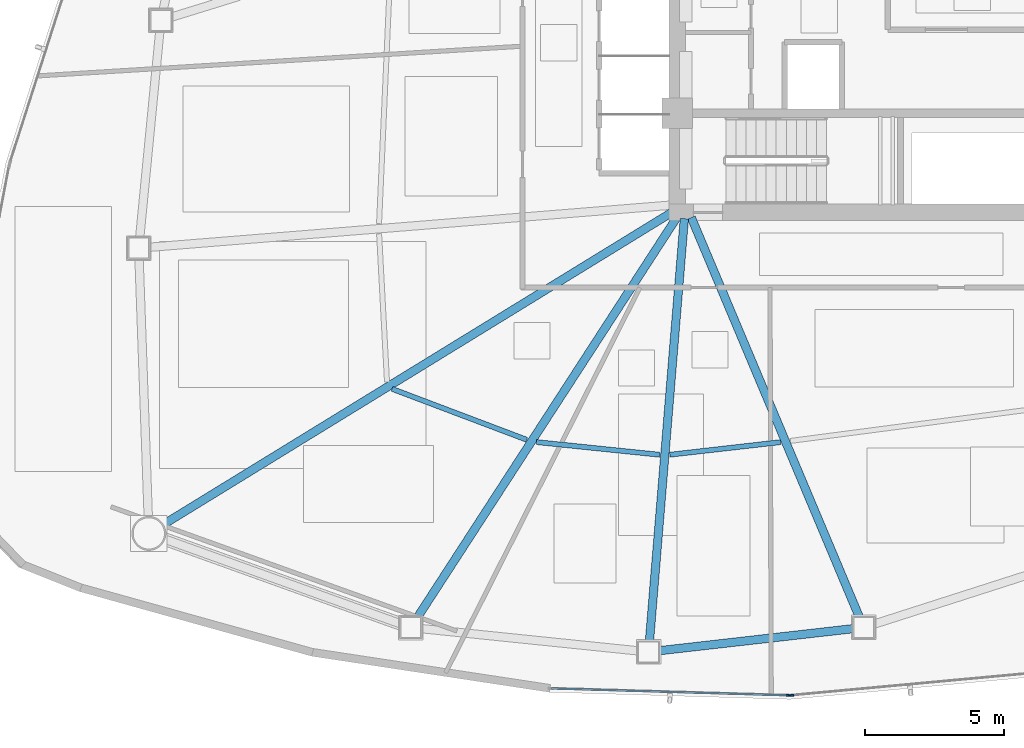
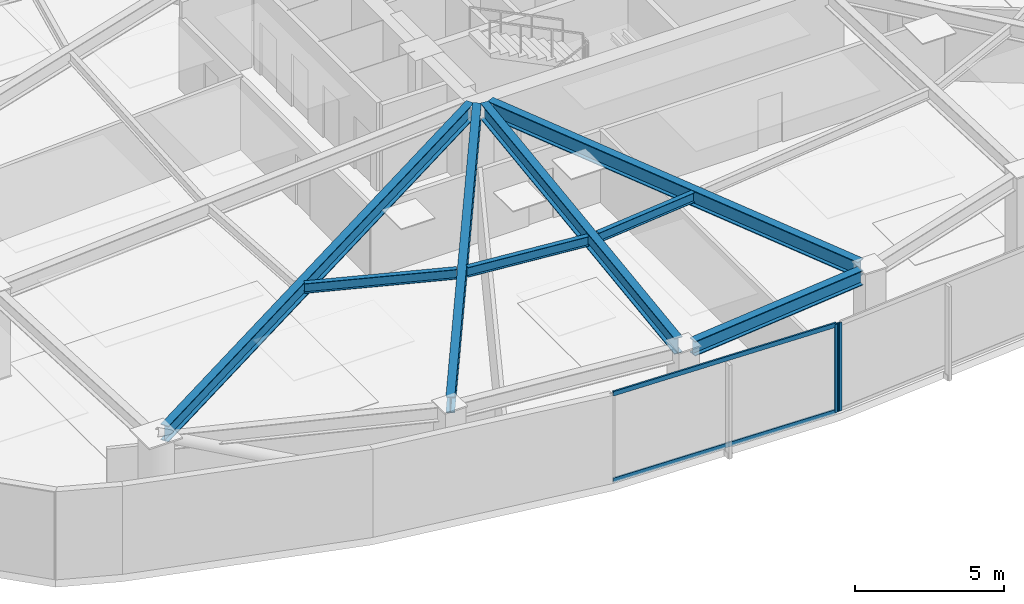
# One storey, part 3 of 16: 8 beams, 4 members, 2 elements without a shape of their own.
"""IFC4 building model written with IfcOpenShell, lengths in metres."""

from ifc_helpers import new_model, si_unit, direction, frame, origin, origin_2d, place, context, subcontext, project, spatial, hollow_rectangle, i_section, extrude, source, transform, mapped, material, layer, layer_set, material_profile, profile_set, type_object, type_shapes, element, aggregate, save


model = new_model("IFC4")

# Units and contexts
model_context = context("Model", 3, precision=1e-05, world=origin(), true_north=direction((0.0, 1.0)))
body_context = subcontext(model_context, "Body", "Model", "MODEL_VIEW")
ifc_project = project(units=[si_unit("LENGTHUNIT", "METRE"), si_unit("AREAUNIT", "SQUARE_METRE"), si_unit("VOLUMEUNIT", "CUBIC_METRE"), si_unit("PLANEANGLEUNIT", "RADIAN"), si_unit("MASSUNIT", "GRAM", prefix="KILO")], contexts=[model_context])

# Site, building, storey
site_placement = place(None, origin())
site = spatial("IfcSite", under=ifc_project, at=site_placement, CompositionType="ELEMENT")
building_placement = place(site_placement, origin())
building = spatial("IfcBuilding", under=site, at=building_placement, Name="Tavelor Broadcast Tower", CompositionType="ELEMENT")
storey_placement = place(building_placement, frame((0.0, 0.0, 31.5)))
storey = spatial("IfcBuildingStorey", under=building, at=storey_placement, Name="L06", CompositionType="ELEMENT", Elevation=31.5)

# Beams
ifc_material_1 = material(Name="Steel S355", Category="steel")
ifc_material_profile_1 = material_profile(ifc_material_1, i_section(OverallWidth=0.179931640625, OverallDepth=0.39990234375, WebThickness=0.008544921875, FlangeThickness=0.013427734375, at=origin_2d()), Name="IPE 400")
ifc_profile_set_1 = profile_set([ifc_material_profile_1], Name="Steel S355")
beam_type_1 = type_object("IfcBeamType", Name="Composite Floor Joist T1 IPE 400", PredefinedType="JOIST", material=ifc_profile_set_1)
beam_1_placement = place(storey_placement, frame((32.875732421875, 32.172119140625, 3.39990234375), z_axis=(0.935393222228, -0.353609275629, 0.0), x_axis=(0.353609275629, 0.935393222228, 0.0)))
element("IfcBeam", 1, at=beam_1_placement, inside=storey, type_object=beam_type_1, Name="L06 Secondary Composite Floor Joist 07", PredefinedType="JOIST", context=body_context, shape_type="SweptSolid", body=[
    extrude(i_section(OverallWidth=0.179931640625, OverallDepth=0.39990234375, WebThickness=0.008544921875, FlangeThickness=0.013427734375, at=origin_2d()), origin(), (0.0, 0.0, 1.0), 5.16357421875),
])
beam_2_placement = place(storey_placement, frame((38.05517578125, 30.263671875, 3.39990234375), z_axis=(0.994731276638, -0.102516765835, 0.0), x_axis=(0.102516765835, 0.994731276638, 0.0)))
element("IfcBeam", 2, at=beam_2_placement, inside=storey, type_object=beam_type_1, Name="L06 Secondary Composite Floor Joist 08", PredefinedType="JOIST", context=body_context, shape_type="SweptSolid", body=[
    extrude(i_section(OverallWidth=0.179931640625, OverallDepth=0.39990234375, WebThickness=0.008544921875, FlangeThickness=0.013427734375, at=origin_2d()), origin(), (0.0, 0.0, 1.0), 4.44384765625),
])
beam_3_placement = place(storey_placement, frame((42.83544921875, 29.81005859375, 3.39990234375), z_axis=(0.993584195036, 0.113094860076, 0.0), x_axis=(-0.113094860076, 0.993584195036, 0.0)))
element("IfcBeam", 3, at=beam_3_placement, inside=storey, type_object=beam_type_1, Name="L06 Secondary Composite Floor Joist 09", PredefinedType="JOIST", context=body_context, shape_type="SweptSolid", body=[
    extrude(i_section(OverallWidth=0.179931640625, OverallDepth=0.39990234375, WebThickness=0.008544921875, FlangeThickness=0.013427734375, at=origin_2d()), origin(), (0.0, 0.0, 1.0), 3.99365234375),
])
ifc_material_profile_2 = material_profile(ifc_material_1, i_section(OverallWidth=0.300048828125, OverallDepth=0.60009765625, WebThickness=0.015380859375, FlangeThickness=0.030029296875, at=origin_2d()), Name="HEB 600")
ifc_profile_set_2 = profile_set([ifc_material_profile_2], Name="Steel S355")
beam_type_2 = type_object("IfcBeamType", Name="Perimeter Spandrel Beam T1 HEB 600", PredefinedType="SPANDREL", material=ifc_profile_set_2)
beam_4_placement = place(storey_placement, frame((42.45458984375, 22.783935546875, 3.300048828125), z_axis=(0.993590028959, 0.113043594921, 0.0), x_axis=(-0.113043594921, 0.993590028959, 0.0)))
element("IfcBeam", 4, at=beam_4_placement, inside=storey, type_object=beam_type_2, Name="L06 Framed-Tube Ring Spandrel 09", PredefinedType="SPANDREL", context=body_context, shape_type="SweptSolid", body=[
    extrude(i_section(OverallWidth=0.300048828125, OverallDepth=0.60009765625, WebThickness=0.015380859375, FlangeThickness=0.030029296875, at=origin_2d()), origin(), (0.0, 0.0, 1.0), 6.995361328125),
])
ifc_material_profile_3 = material_profile(ifc_material_1, i_section(OverallWidth=0.300048828125, OverallDepth=0.64990234375, WebThickness=0.01611328125, FlangeThickness=0.031005859375, at=origin_2d()), Name="HEB 650")
ifc_profile_set_3 = profile_set([ifc_material_profile_3], Name="Steel S355")
beam_type_3 = type_object("IfcBeamType", Name="Radial Floor Girder T1 HEB 650", PredefinedType="BEAM", material=ifc_profile_set_3)
beam_5_placement = place(storey_placement, frame((42.949951171875, 38.523681640625, 3.27490234375), z_axis=(-0.852260376483, -0.523117817205, 0.0), x_axis=(0.523117817205, -0.852260376483, 0.0)))
element("IfcBeam", 5, at=beam_5_placement, inside=storey, type_object=beam_type_3, Name="L06 Radial Primary Floor Girder 07", PredefinedType="BEAM", context=body_context, shape_type="SweptSolid", body=[
    extrude(i_section(OverallWidth=0.300048828125, OverallDepth=0.64990234375, WebThickness=0.01611328125, FlangeThickness=0.031005859375, at=origin_2d()), origin(), (0.0, 0.0, 1.0), 21.463134765625),
])
beam_6_placement = place(storey_placement, frame((43.11279296875, 38.35693359375, 3.27490234375), z_axis=(-0.544182728087, -0.838966720706, 0.0), x_axis=(0.838966720706, -0.544182728087, 0.0)))
element("IfcBeam", 6, at=beam_6_placement, inside=storey, type_object=beam_type_3, Name="L06 Radial Primary Floor Girder 08", PredefinedType="BEAM", context=body_context, shape_type="SweptSolid", body=[
    extrude(i_section(OverallWidth=0.300048828125, OverallDepth=0.64990234375, WebThickness=0.01611328125, FlangeThickness=0.031005859375, at=origin_2d()), origin(), (0.0, 0.0, 1.0), 17.186767578125),
])
beam_7_placement = place(storey_placement, frame((43.3564453125, 38.273681640625, 3.27490234375), z_axis=(-0.082338386508, -0.996604430106, 0.0), x_axis=(0.996604430106, -0.082338386508, 0.0)))
element("IfcBeam", 7, at=beam_7_placement, inside=storey, type_object=beam_type_3, Name="L06 Radial Primary Floor Girder 09", PredefinedType="BEAM", context=body_context, shape_type="SweptSolid", body=[
    extrude(i_section(OverallWidth=0.300048828125, OverallDepth=0.64990234375, WebThickness=0.01611328125, FlangeThickness=0.031005859375, at=origin_2d()), origin(), (0.0, 0.0, 1.0), 15.201904296875),
])
beam_8_placement = place(storey_placement, frame((43.604736328125, 38.313232421875, 3.27490234375), z_axis=(0.387757434366, -0.921761450753, 0.0), x_axis=(0.921761450753, 0.387757434366, 0.0)))
element("IfcBeam", 8, at=beam_8_placement, inside=storey, type_object=beam_type_3, Name="L06 Radial Primary Floor Girder 10", PredefinedType="BEAM", context=body_context, shape_type="SweptSolid", body=[
    extrude(i_section(OverallWidth=0.300048828125, OverallDepth=0.64990234375, WebThickness=0.01611328125, FlangeThickness=0.031005859375, at=origin_2d()), origin(), (0.0, 0.0, 1.0), 15.55859375),
])

# Curtain wall, member
ifc_material_2 = material(Name="Architectural Anodized Aluminium", Category="aluminium")
ifc_layer = layer(ifc_material_2, 0.179931640625)
ifc_layer_set = layer_set([ifc_layer], Name="Architectural Anodized Aluminium")
curtain_wall_type = type_object("IfcCurtainWallType", Name="Tower Low-Zone Unitised Curtain Wall CW02", PredefinedType="NOTDEFINED", material=ifc_layer_set)
curtain_wall_1_placement = place(storey_placement, origin())
curtain_wall_1 = element("IfcCurtainWall", 9, at=curtain_wall_1_placement, inside=storey, type_object=curtain_wall_type, Name="L06 Curtain Wall CW02 Run 29", PredefinedType="NOTDEFINED")
ifc_material_profile_4 = material_profile(ifc_material_2, hollow_rectangle(XDim=0.06494140625, YDim=0.179931640625, WallThickness=0.02197265625, at=origin_2d()), Name="RHS 65x180x22")
ifc_profile_set_4 = profile_set([ifc_material_profile_4], Name="Architectural Anodized Aluminium")
member_type_1 = type_object("IfcMemberType", Name="CW02 Extruded Aluminium Mullion 65x180", PredefinedType="MULLION", material=ifc_profile_set_4)
shared_shape_1 = source(origin(), body_context, "Body", "SweptSolid", [
    extrude(hollow_rectangle(XDim=0.06494140625, YDim=0.179931640625, WallThickness=0.02197265625, at=origin_2d()), origin(), (0.0, 0.0, 1.0), 3.60009765625),
])
type_shapes(member_type_1, [shared_shape_1])
member_1_placement = place(storey_placement, frame((47.10107421875, 21.182861328125, 0.0), z_axis=(0.0, 0.0, 1.0), x_axis=(0.029245340553, 0.999572263549, 0.0)))
member_1 = element("IfcMember", 10, at=member_1_placement, type_object=member_type_1, Name="CW02 mullion 2", PredefinedType="MULLION", context=body_context, shape_type="MappedRepresentation", body=[
    mapped(shared_shape_1, transform((0.0, 0.0, 0.0), scale=1.0)),
])

curtain_wall_2_placement = place(storey_placement, origin())
curtain_wall_2 = element("IfcCurtainWall", 11, at=curtain_wall_2_placement, inside=storey, type_object=curtain_wall_type, Name="L06 Curtain Wall CW02 Run 30", PredefinedType="NOTDEFINED")
member_2_placement = place(storey_placement, frame((47.19580078125, 21.185791015625, 0.0), z_axis=(0.0, 0.0, 1.0), x_axis=(-0.091928825014, 0.995765580411, 0.0)))
member_2 = element("IfcMember", 12, at=member_2_placement, type_object=member_type_1, Name="CW02 mullion 1", PredefinedType="MULLION", context=body_context, shape_type="MappedRepresentation", body=[
    mapped(shared_shape_1, transform((0.0, 0.0, 0.0), scale=1.0)),
])
aggregate(curtain_wall_2, [member_2])

# Member
ifc_material_profile_5 = material_profile(ifc_material_2, hollow_rectangle(XDim=0.06494140625, YDim=0.179931640625, WallThickness=0.02197265625, at=origin_2d()), Name="RHS 65x180x22")
ifc_profile_set_5 = profile_set([ifc_material_profile_5], Name="Architectural Anodized Aluminium")
member_type_2 = type_object("IfcMemberType", Name="CW02 Extruded Aluminium Transom 65x180", PredefinedType="USERDEFINED", material=ifc_profile_set_5)
shared_shape_2 = source(origin(), body_context, "Body", "SweptSolid", [
    extrude(hollow_rectangle(XDim=0.06494140625, YDim=0.179931640625, WallThickness=0.02197265625, at=origin_2d()), origin(), (0.0, 0.0, 1.0), 8.47314453125),
])
type_shapes(member_type_2, [shared_shape_2])
member_3_placement = place(storey_placement, frame((38.59912109375, 21.431640625, 0.032470703125), z_axis=(0.999572250286, -0.029245793838, 0.0), x_axis=(0.029245793838, 0.999572250286, 0.0)))
member_3 = element("IfcMember", 13, at=member_3_placement, type_object=member_type_2, Name="CW02 transom 1.1", ObjectType="TRANSOM", PredefinedType="USERDEFINED", context=body_context, shape_type="MappedRepresentation", body=[
    mapped(shared_shape_2, transform((0.0, 0.0, 0.0), scale=1.0)),
])

member_4_placement = place(storey_placement, frame((38.59912109375, 21.431640625, 3.5673828125), z_axis=(0.999572250286, -0.029245793838, 0.0), x_axis=(0.029245793838, 0.999572250286, 0.0)))
member_4 = element("IfcMember", 14, at=member_4_placement, type_object=member_type_2, Name="CW02 transom 1.2", ObjectType="TRANSOM", PredefinedType="USERDEFINED", context=body_context, shape_type="MappedRepresentation", body=[
    mapped(shared_shape_2, transform((0.0, 0.0, 0.0), scale=1.0)),
])

aggregate(curtain_wall_1, [member_1, member_3, member_4])

save(model, "model.ifc")
